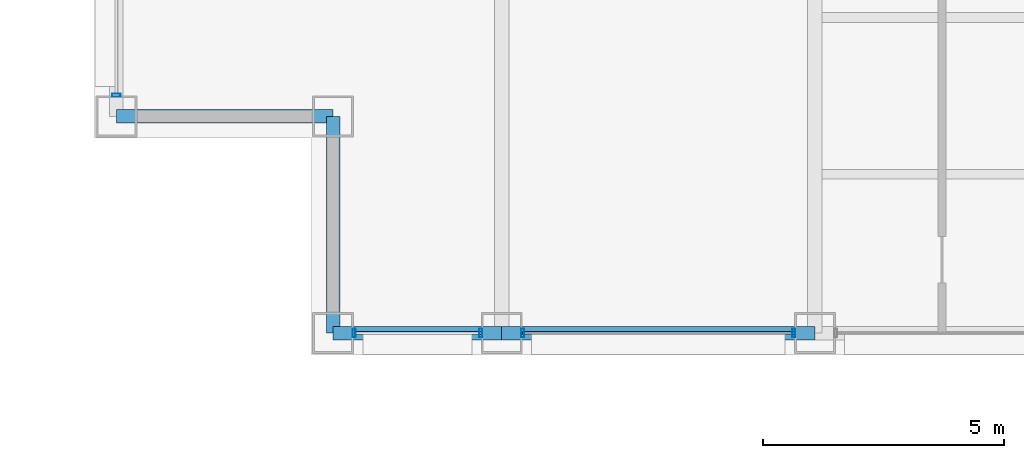
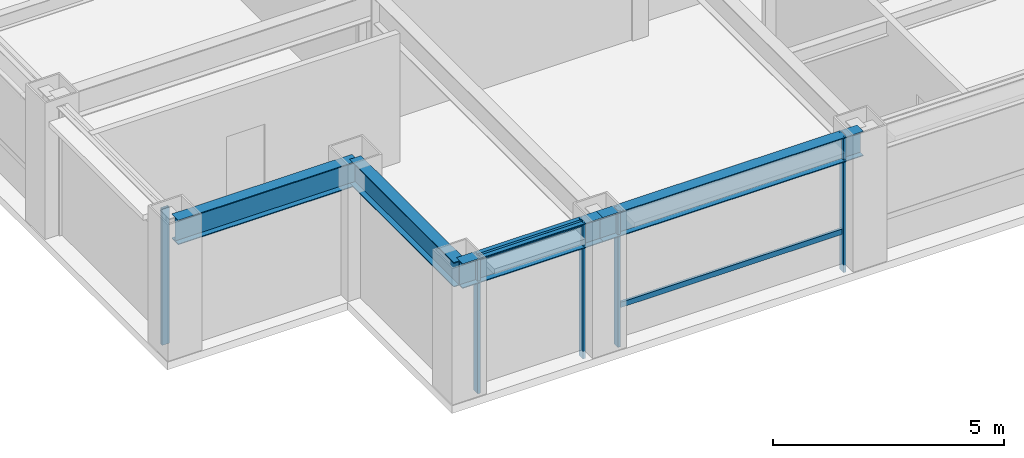
# One storey, part 2 of 31: 7 members, 4 beams, 3 elements without a shape of their own.
"""IFC4 building model written with IfcOpenShell, lengths in metres."""

from ifc_helpers import new_model, si_unit, direction, frame, origin, origin_2d, place, context, subcontext, project, spatial, hollow_rectangle, i_section, extrude, material, layer, layer_set, material_profile, profile_set, type_object, element, aggregate, save


model = new_model("IFC4")

# Units and contexts
model_context = context("Model", 3, precision=1e-05, world=origin(), true_north=direction((0.0, 1.0)))
body_context = subcontext(model_context, "Body", "Model", "MODEL_VIEW")
ifc_project = project(units=[si_unit("LENGTHUNIT", "METRE"), si_unit("AREAUNIT", "SQUARE_METRE"), si_unit("VOLUMEUNIT", "CUBIC_METRE"), si_unit("PLANEANGLEUNIT", "RADIAN"), si_unit("MASSUNIT", "GRAM", prefix="KILO")], contexts=[model_context])

# Site, building, storey
site_placement = place(None, origin())
site = spatial("IfcSite", under=ifc_project, at=site_placement, CompositionType="ELEMENT")
building_placement = place(site_placement, origin())
building = spatial("IfcBuilding", under=site, at=building_placement, Name="Brelmoor Portico Tower", CompositionType="ELEMENT")
storey_placement = place(building_placement, frame((0.0, 0.0, 106.199951171875)))
storey = spatial("IfcBuildingStorey", under=building, at=storey_placement, Name="L27", CompositionType="ELEMENT", Elevation=106.199951171875)

# Beams
ifc_material_1 = material(Name="Steel Q355B", Category="steel")
ifc_material_profile_1 = material_profile(ifc_material_1, i_section(OverallWidth=0.280029296875, OverallDepth=0.64990234375, WebThickness=0.012939453125, FlangeThickness=0.02197265625, at=origin_2d()), Name="HN 650x280x13x22")
ifc_profile_set_1 = profile_set([ifc_material_profile_1], Name="Steel Q355B")
beam_type = type_object("IfcBeamType", Name="BM-SP-650", PredefinedType="SPANDREL", material=ifc_profile_set_1)
beam_1_placement = place(storey_placement, frame((-18.050048828125, -19.550048828125, 3.074951171875), z_axis=(1.0, 0.0, 0.0), x_axis=(0.0, 1.0, 0.0)))
element("IfcBeam", 1, at=beam_1_placement, inside=storey, type_object=beam_type, Name="L27 Perimeter Spandrel Beam SP-01", PredefinedType="SPANDREL", context=body_context, shape_type="SweptSolid", body=[
    extrude(i_section(OverallWidth=0.280029296875, OverallDepth=0.64990234375, WebThickness=0.012939453125, FlangeThickness=0.02197265625, at=origin_2d()), origin(), (0.0, 0.0, 1.0), 3.5),
])
beam_2_placement = place(storey_placement, frame((-14.550048828125, -19.550048828125, 3.074951171875), z_axis=(1.0, 0.0, 0.0), x_axis=(0.0, 1.0, 0.0)))
element("IfcBeam", 2, at=beam_2_placement, inside=storey, type_object=beam_type, Name="L27 Perimeter Spandrel Beam SP-02", PredefinedType="SPANDREL", context=body_context, shape_type="SweptSolid", body=[
    extrude(i_section(OverallWidth=0.280029296875, OverallDepth=0.64990234375, WebThickness=0.012939453125, FlangeThickness=0.02197265625, at=origin_2d()), origin(), (0.0, 0.0, 1.0), 6.5),
])
for number, where, z_axis, x_axis, name in (
    (3, (-22.550048828125, -15.050048828125, 3.074951171875), (1.0, 0.0, 0.0), (0.0, 1.0, 0.0), "L27 Perimeter Spandrel Beam SP-06"),
    (4, (-18.050048828125, -19.550048828125, 3.074951171875), (0.0, 1.0, 0.0), (-1.0, 0.0, 0.0), "L27 Perimeter Spandrel Beam SP-18"),
):
    element("IfcBeam", number, at=place(storey_placement, frame(where, z_axis=z_axis, x_axis=x_axis)), inside=storey, type_object=beam_type, Name=name, PredefinedType="SPANDREL", context=body_context, shape_type="SweptSolid", body=[
        extrude(i_section(OverallWidth=0.280029296875, OverallDepth=0.64990234375, WebThickness=0.012939453125, FlangeThickness=0.02197265625, at=origin_2d()), origin(), (0.0, 0.0, 1.0), 4.5),
    ])

# Curtain wall, members
ifc_material_2 = material(Name="Anodised Aluminium Alloy 6063-T6", Category="aluminium")
ifc_layer_1 = layer(ifc_material_2, 0.179931640625)
ifc_layer_set_1 = layer_set([ifc_layer_1], Name="Anodised Aluminium Alloy 6063-T6")
curtain_wall_type_1 = type_object("IfcCurtainWallType", Name="CW-TOWER-Z2-XB", PredefinedType="NOTDEFINED", material=ifc_layer_set_1)
curtain_wall_1_placement = place(storey_placement, origin())
curtain_wall_1 = element("IfcCurtainWall", 5, at=curtain_wall_1_placement, inside=storey, type_object=curtain_wall_type_1, Name="L27 Curtain Wall CW-L27-1L-1", PredefinedType="NOTDEFINED")
ifc_material_profile_2 = material_profile(ifc_material_2, hollow_rectangle(XDim=0.06494140625, YDim=0.179931640625, WallThickness=0.00390625, at=origin_2d()), Name="ALU MULLION 65x180")
ifc_profile_set_2 = profile_set([ifc_material_profile_2], Name="Anodised Aluminium Alloy 6063-T6")
member_type_1 = type_object("IfcMemberType", Name="MB-CW-MULL-180", PredefinedType="MULLION", material=ifc_profile_set_2)
member_1_placement = place(storey_placement, frame((-17.614990234375, -19.550048828125, -0.199951171875), z_axis=(0.0, 0.0, 1.0), x_axis=(1.0, 0.0, 0.0)))
member_1 = element("IfcMember", 6, at=member_1_placement, type_object=member_type_1, Name="CW-L27-1L-1 Mullion 00", PredefinedType="MULLION", context=body_context, shape_type="SweptSolid", body=[
    extrude(hollow_rectangle(XDim=0.06494140625, YDim=0.179931640625, WallThickness=0.00390625, at=origin_2d()), origin(), (0.0, 0.0, 1.0), 3.60009765625),
])
member_2_placement = place(storey_placement, frame((-14.985107421875, -19.550048828125, -0.199951171875), z_axis=(0.0, 0.0, 1.0), x_axis=(1.0, 0.0, 0.0)))
member_2 = element("IfcMember", 7, at=member_2_placement, type_object=member_type_1, Name="CW-L27-1L-1 Mullion 01", PredefinedType="MULLION", context=body_context, shape_type="SweptSolid", body=[
    extrude(hollow_rectangle(XDim=0.06494140625, YDim=0.179931640625, WallThickness=0.00390625, at=origin_2d()), origin(), (0.0, 0.0, 1.0), 3.60009765625),
])

ifc_layer_2 = layer(ifc_material_2, 0.179931640625)
ifc_layer_set_2 = layer_set([ifc_layer_2], Name="Anodised Aluminium Alloy 6063-T6")
curtain_wall_type_2 = type_object("IfcCurtainWallType", Name="CW-TOWER-Z2", PredefinedType="NOTDEFINED", material=ifc_layer_set_2)
curtain_wall_2_placement = place(storey_placement, origin())
curtain_wall_2 = element("IfcCurtainWall", 8, at=curtain_wall_2_placement, inside=storey, type_object=curtain_wall_type_2, Name="L27 Curtain Wall CW-L27-1L-2", PredefinedType="NOTDEFINED")
member_3_placement = place(storey_placement, frame((-14.114990234375, -19.550048828125, -0.199951171875), z_axis=(0.0, 0.0, 1.0), x_axis=(1.0, 0.0, 0.0)))
member_3 = element("IfcMember", 9, at=member_3_placement, type_object=member_type_1, Name="CW-L27-1L-2 Mullion 00", PredefinedType="MULLION", context=body_context, shape_type="SweptSolid", body=[
    extrude(hollow_rectangle(XDim=0.06494140625, YDim=0.179931640625, WallThickness=0.00390625, at=origin_2d()), origin(), (0.0, 0.0, 1.0), 3.60009765625),
])
member_4_placement = place(storey_placement, frame((-8.485107421875, -19.550048828125, -0.199951171875), z_axis=(0.0, 0.0, 1.0), x_axis=(1.0, 0.0, 0.0)))
member_4 = element("IfcMember", 10, at=member_4_placement, type_object=member_type_1, Name="CW-L27-1L-2 Mullion 01", PredefinedType="MULLION", context=body_context, shape_type="SweptSolid", body=[
    extrude(hollow_rectangle(XDim=0.06494140625, YDim=0.179931640625, WallThickness=0.00390625, at=origin_2d()), origin(), (0.0, 0.0, 1.0), 3.60009765625),
])

# Curtain wall, member
curtain_wall_3_placement = place(storey_placement, origin())
curtain_wall_3 = element("IfcCurtainWall", 11, at=curtain_wall_3_placement, inside=storey, type_object=curtain_wall_type_1, Name="L27 Curtain Wall CW-L27-3L-1", PredefinedType="NOTDEFINED")
member_5_placement = place(storey_placement, frame((-22.550048828125, -14.614990234375, -0.199951171875), z_axis=(0.0, 0.0, 1.0), x_axis=(0.0, 1.0, 0.0)))
member_5 = element("IfcMember", 12, at=member_5_placement, type_object=member_type_1, Name="CW-L27-3L-1 Mullion 00", PredefinedType="MULLION", context=body_context, shape_type="SweptSolid", body=[
    extrude(hollow_rectangle(XDim=0.06494140625, YDim=0.179931640625, WallThickness=0.00390625, at=origin_2d()), origin(), (0.0, 0.0, 1.0), 3.60009765625),
])
aggregate(curtain_wall_3, [member_5])

# Member
ifc_material_profile_3 = material_profile(ifc_material_2, hollow_rectangle(XDim=0.06494140625, YDim=0.139892578125, WallThickness=0.00390625, at=origin_2d()), Name="ALU TRANSOM 65x140")
ifc_profile_set_3 = profile_set([ifc_material_profile_3], Name="Anodised Aluminium Alloy 6063-T6")
member_type_2 = type_object("IfcMemberType", Name="MB-CW-TRAN-140", PredefinedType="USERDEFINED", material=ifc_profile_set_3)
member_6_placement = place(storey_placement, frame((-17.614990234375, -19.550048828125, 3.330078125), z_axis=(1.0, 0.0, 0.0), x_axis=(0.0, 1.0, 0.0)))
member_6 = element("IfcMember", 13, at=member_6_placement, type_object=member_type_2, Name="CW-L27-1L-1 Transom 1-00", ObjectType="TRANSOM", PredefinedType="USERDEFINED", context=body_context, shape_type="SweptSolid", body=[
    extrude(hollow_rectangle(XDim=0.06494140625, YDim=0.139892578125, WallThickness=0.00390625, at=origin_2d()), origin(), (0.0, 0.0, 1.0), 2.6298828125),
])

aggregate(curtain_wall_1, [member_1, member_2, member_6])

member_7_placement = place(storey_placement, frame((-14.114990234375, -19.550048828125, 0.85009765625), z_axis=(1.0, 0.0, 0.0), x_axis=(0.0, 1.0, 0.0)))
member_7 = element("IfcMember", 14, at=member_7_placement, type_object=member_type_2, Name="CW-L27-1L-2 Transom 1-00", ObjectType="TRANSOM", PredefinedType="USERDEFINED", context=body_context, shape_type="SweptSolid", body=[
    extrude(hollow_rectangle(XDim=0.06494140625, YDim=0.139892578125, WallThickness=0.00390625, at=origin_2d()), origin(), (0.0, 0.0, 1.0), 5.6298828125),
])

aggregate(curtain_wall_2, [member_3, member_4, member_7])

save(model, "model.ifc")
